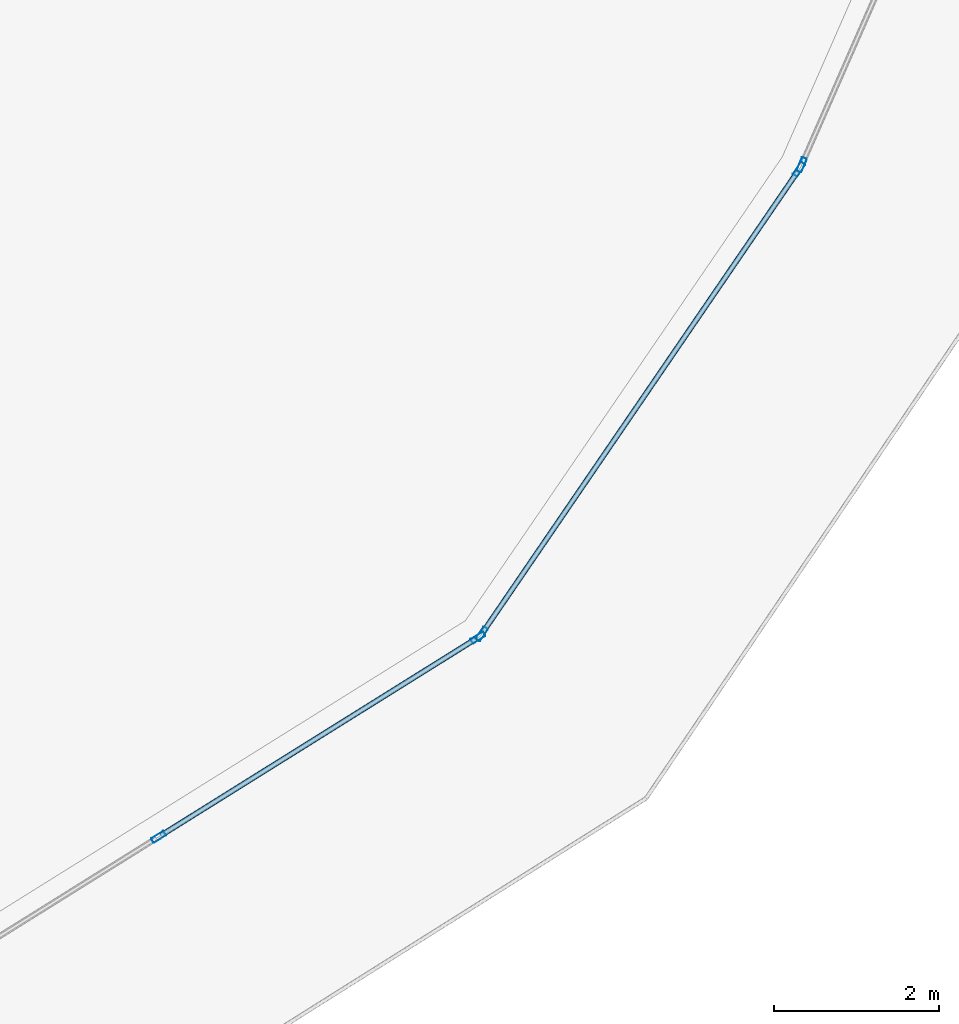
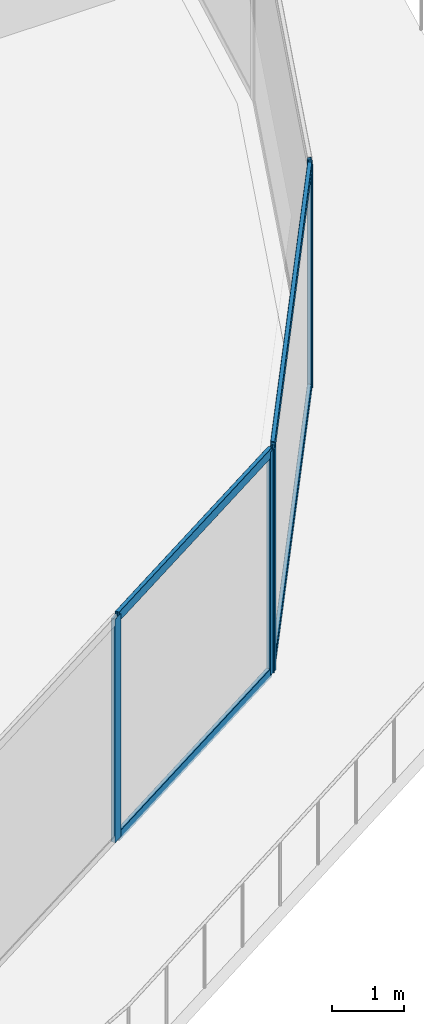
# One storey, part 8 of 35: 9 members, 3 elements without a shape of their own.
"""IFC4 building model written with IfcOpenShell, lengths in metres."""

from ifc_helpers import new_model, si_unit, direction, frame, origin, origin_2d, place, context, subcontext, project, spatial, hollow_rectangle, extrude, material, layer, layer_set, material_profile, profile_set, type_object, element, aggregate, save


model = new_model("IFC4")

# Units and contexts
model_context = context("Model", 3, precision=1e-05, world=origin(), true_north=direction((0.0, 1.0)))
body_context = subcontext(model_context, "Body", "Model", "MODEL_VIEW")
ifc_project = project(units=[si_unit("LENGTHUNIT", "METRE"), si_unit("AREAUNIT", "SQUARE_METRE"), si_unit("VOLUMEUNIT", "CUBIC_METRE"), si_unit("PLANEANGLEUNIT", "RADIAN"), si_unit("MASSUNIT", "GRAM", prefix="KILO")], contexts=[model_context])

# Site, building, storey
site_placement = place(None, origin())
site = spatial("IfcSite", under=ifc_project, at=site_placement, CompositionType="ELEMENT")
building_placement = place(site_placement, origin())
building = spatial("IfcBuilding", under=site, at=building_placement, Name="Qorvath Tower", CompositionType="ELEMENT")
storey_placement = place(building_placement, frame((0.0, 0.0, 130.050048828125)))
storey = spatial("IfcBuildingStorey", under=building, at=storey_placement, Name="L29", CompositionType="ELEMENT", Elevation=130.050048828125)

# Curtain wall, members
ifc_material_1 = material(Name="Anodised aluminium and triple low-E glass", Category="aluminium")
ifc_layer = layer(ifc_material_1, 0.179931640625)
ifc_layer_set = layer_set([ifc_layer], Name="CW-SYS-2")
curtain_wall_type = type_object("IfcCurtainWallType", Name="CW-SYS-2", PredefinedType="NOTDEFINED", material=ifc_layer_set)
curtain_wall_1_placement = place(storey_placement, origin())
curtain_wall_1 = element("IfcCurtainWall", 1, at=curtain_wall_1_placement, inside=storey, type_object=curtain_wall_type, Name="Curtain Wall CW-2 CW-T-L29-4.1", PredefinedType="NOTDEFINED")
ifc_material_2 = material(Name="Anodised aluminium 6063-T6", Category="aluminium")
ifc_material_profile_1 = material_profile(ifc_material_2, hollow_rectangle(XDim=0.06494140625, YDim=0.179931640625, WallThickness=0.00341796875, InnerFilletRadius=0.00341796875, OuterFilletRadius=0.007080078125, at=origin_2d()), Name="CWM 180x65")
ifc_profile_set_1 = profile_set([ifc_material_profile_1], Name="Anodised aluminium 6063-T6")
member_type_1 = type_object("IfcMemberType", Name="CWM-180", PredefinedType="MULLION", material=ifc_profile_set_1)
member_1_placement = place(storey_placement, frame((-7.4296875, -26.150390625, 0.0), z_axis=(0.0, 0.0, 1.0), x_axis=(-0.529503324069, 0.84830786263, 0.0)))
member_1 = element("IfcMember", 2, at=member_1_placement, type_object=member_type_1, Name="CW-2 mullion 2", PredefinedType="MULLION", context=body_context, shape_type="SweptSolid", body=[
    extrude(hollow_rectangle(XDim=0.06494140625, YDim=0.179931640625, WallThickness=0.00341796875, InnerFilletRadius=0.00341796875, OuterFilletRadius=0.007080078125, at=origin_2d()), origin(), (0.0, 0.0, 1.0), 3.780029296875),
])
member_2_placement = place(storey_placement, frame((-3.548828125, -23.72802734375, 0.0), z_axis=(0.0, 0.0, 1.0), x_axis=(-0.529503324069, 0.84830786263, 0.0)))
member_2 = element("IfcMember", 3, at=member_2_placement, type_object=member_type_1, Name="CW-2 mullion 3", PredefinedType="MULLION", context=body_context, shape_type="SweptSolid", body=[
    extrude(hollow_rectangle(XDim=0.06494140625, YDim=0.179931640625, WallThickness=0.00341796875, InnerFilletRadius=0.00341796875, OuterFilletRadius=0.007080078125, at=origin_2d()), origin(), (0.0, 0.0, 1.0), 3.780029296875),
])

curtain_wall_2_placement = place(storey_placement, origin())
curtain_wall_2 = element("IfcCurtainWall", 4, at=curtain_wall_2_placement, inside=storey, type_object=curtain_wall_type, Name="Curtain Wall CW-2 CW-T-L29-5.1", PredefinedType="NOTDEFINED")
member_3_placement = place(storey_placement, frame((-3.5029296875, -23.683837890625, 0.0), z_axis=(0.0, 0.0, 1.0), x_axis=(-0.825662865244, 0.564163835208, 0.0)))
member_3 = element("IfcMember", 5, at=member_3_placement, type_object=member_type_1, Name="CW-2 mullion 1", PredefinedType="MULLION", context=body_context, shape_type="SweptSolid", body=[
    extrude(hollow_rectangle(XDim=0.06494140625, YDim=0.179931640625, WallThickness=0.00341796875, InnerFilletRadius=0.00341796875, OuterFilletRadius=0.007080078125, at=origin_2d()), origin(), (0.0, 0.0, 1.0), 3.780029296875),
])
member_4_placement = place(storey_placement, frame((0.35400390625, -18.039306640625, 0.0), z_axis=(0.0, 0.0, 1.0), x_axis=(-0.825662865244, 0.564163835208, 0.0)))
member_4 = element("IfcMember", 6, at=member_4_placement, type_object=member_type_1, Name="CW-2 mullion 2", PredefinedType="MULLION", context=body_context, shape_type="SweptSolid", body=[
    extrude(hollow_rectangle(XDim=0.06494140625, YDim=0.179931640625, WallThickness=0.00341796875, InnerFilletRadius=0.00341796875, OuterFilletRadius=0.007080078125, at=origin_2d()), origin(), (0.0, 0.0, 1.0), 3.780029296875),
])

# Curtain wall, member
curtain_wall_3_placement = place(storey_placement, origin())
curtain_wall_3 = element("IfcCurtainWall", 7, at=curtain_wall_3_placement, inside=storey, type_object=curtain_wall_type, Name="Curtain Wall CW-2 CW-T-L29-6.1", PredefinedType="NOTDEFINED")
member_5_placement = place(storey_placement, frame((0.38525390625, -17.982666015625, 0.0), z_axis=(0.0, 0.0, 1.0), x_axis=(-0.915793818987, 0.401648703602, 0.0)))
member_5 = element("IfcMember", 8, at=member_5_placement, type_object=member_type_1, Name="CW-2 mullion 1", PredefinedType="MULLION", context=body_context, shape_type="SweptSolid", body=[
    extrude(hollow_rectangle(XDim=0.06494140625, YDim=0.179931640625, WallThickness=0.00341796875, InnerFilletRadius=0.00341796875, OuterFilletRadius=0.007080078125, at=origin_2d()), origin(), (0.0, 0.0, 1.0), 3.780029296875),
])
aggregate(curtain_wall_3, [member_5])

# Member
ifc_material_3 = material(Name="Anodised aluminium 6063-T6", Category="aluminium")
ifc_material_profile_2 = material_profile(ifc_material_3, hollow_rectangle(XDim=0.06494140625, YDim=0.159912109375, WallThickness=0.00341796875, InnerFilletRadius=0.00341796875, OuterFilletRadius=0.007080078125, at=origin_2d()), Name="CWT 160x65")
ifc_profile_set_2 = profile_set([ifc_material_profile_2], Name="Anodised aluminium 6063-T6")
member_type_2 = type_object("IfcMemberType", Name="CWT-160", PredefinedType="USERDEFINED", material=ifc_profile_set_2)
member_6_placement = place(storey_placement, frame((-7.40234375, -26.13330078125, 0.032470703125), z_axis=(0.848299237237, 0.529517142407, 0.0), x_axis=(-0.529517142407, 0.848299237237, 0.0)))
member_6 = element("IfcMember", 9, at=member_6_placement, type_object=member_type_2, Name="CW-2 transom 2.1", ObjectType="TRANSOM", PredefinedType="USERDEFINED", context=body_context, shape_type="SweptSolid", body=[
    extrude(hollow_rectangle(XDim=0.06494140625, YDim=0.159912109375, WallThickness=0.00341796875, InnerFilletRadius=0.00341796875, OuterFilletRadius=0.007080078125, at=origin_2d()), origin(), (0.0, 0.0, 1.0), 4.510009765625),
])

member_7_placement = place(storey_placement, frame((-7.40234375, -26.13330078125, 3.74755859375), z_axis=(0.848299237237, 0.529517142407, 0.0), x_axis=(-0.529517142407, 0.848299237237, 0.0)))
member_7 = element("IfcMember", 10, at=member_7_placement, type_object=member_type_2, Name="CW-2 transom 2.2", ObjectType="TRANSOM", PredefinedType="USERDEFINED", context=body_context, shape_type="SweptSolid", body=[
    extrude(hollow_rectangle(XDim=0.06494140625, YDim=0.159912109375, WallThickness=0.00341796875, InnerFilletRadius=0.00341796875, OuterFilletRadius=0.007080078125, at=origin_2d()), origin(), (0.0, 0.0, 1.0), 4.510009765625),
])

aggregate(curtain_wall_1, [member_1, member_2, member_6, member_7])

member_8_placement = place(storey_placement, frame((-3.484619140625, -23.656982421875, 0.032470703125), z_axis=(0.564182312323, 0.825650239788, 0.0), x_axis=(-0.825650239788, 0.564182312323, 0.0)))
member_8 = element("IfcMember", 11, at=member_8_placement, type_object=member_type_2, Name="CW-2 transom 1.1", ObjectType="TRANSOM", PredefinedType="USERDEFINED", context=body_context, shape_type="SweptSolid", body=[
    extrude(hollow_rectangle(XDim=0.06494140625, YDim=0.159912109375, WallThickness=0.00341796875, InnerFilletRadius=0.00341796875, OuterFilletRadius=0.007080078125, at=origin_2d()), origin(), (0.0, 0.0, 1.0), 6.771484375),
])

member_9_placement = place(storey_placement, frame((-3.484619140625, -23.656982421875, 3.74755859375), z_axis=(0.564182312323, 0.825650239788, 0.0), x_axis=(-0.825650239788, 0.564182312323, 0.0)))
member_9 = element("IfcMember", 12, at=member_9_placement, type_object=member_type_2, Name="CW-2 transom 1.2", ObjectType="TRANSOM", PredefinedType="USERDEFINED", context=body_context, shape_type="SweptSolid", body=[
    extrude(hollow_rectangle(XDim=0.06494140625, YDim=0.159912109375, WallThickness=0.00341796875, InnerFilletRadius=0.00341796875, OuterFilletRadius=0.007080078125, at=origin_2d()), origin(), (0.0, 0.0, 1.0), 6.771484375),
])

aggregate(curtain_wall_2, [member_3, member_4, member_8, member_9])

save(model, "model.ifc")
